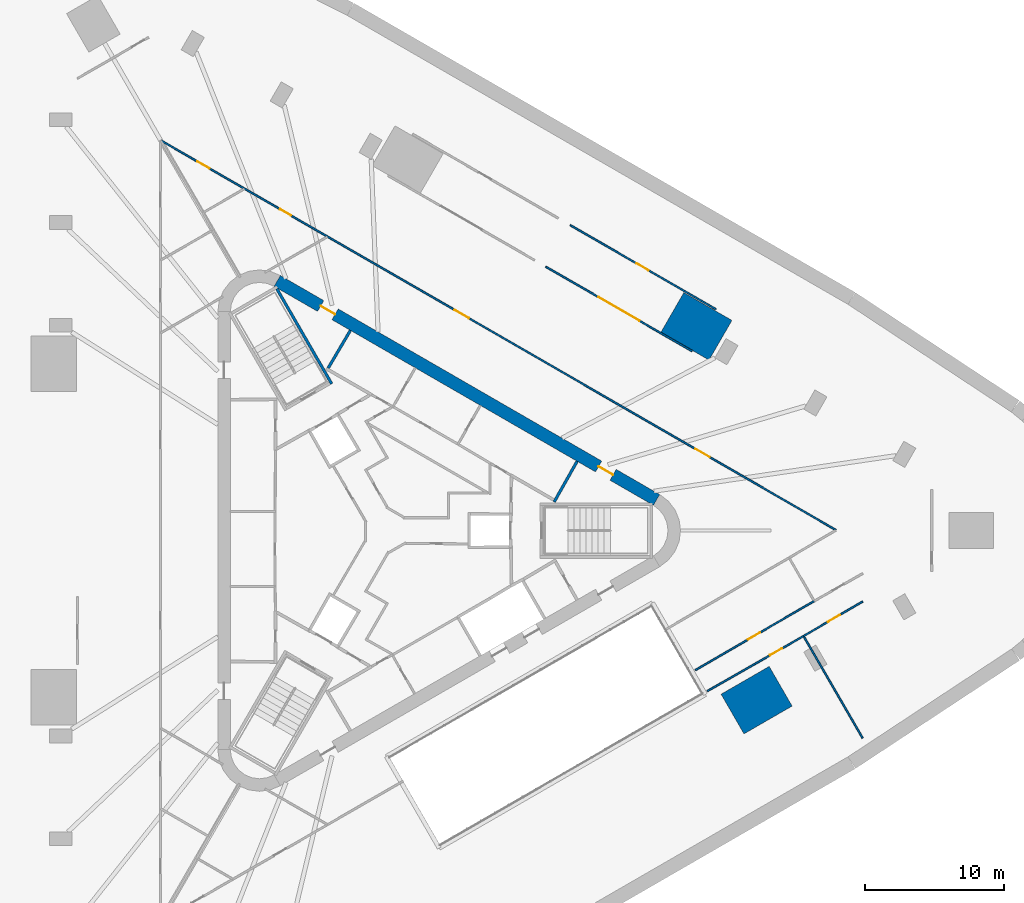
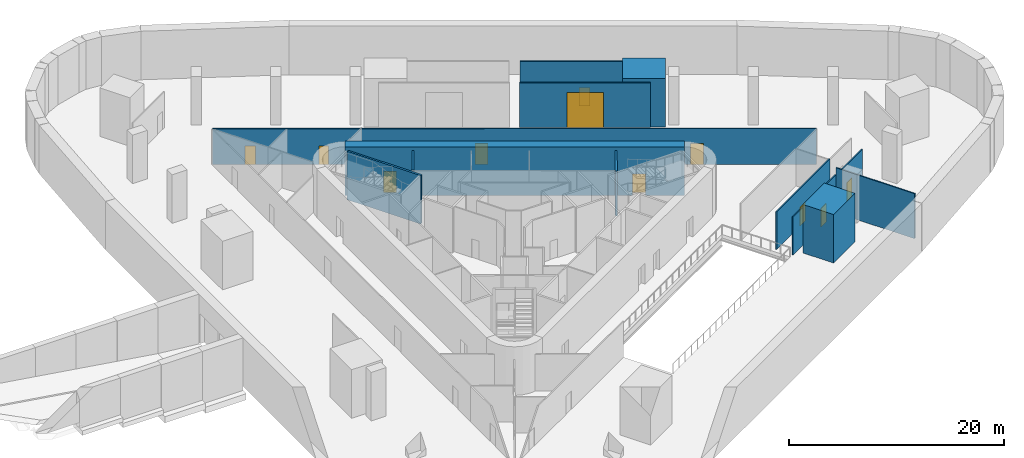
# One storey, part 8 of 13: 13 walls, 11 doors, 11 openings.
"""IFC4 building model written with IfcOpenShell, lengths in metres."""

from ifc_helpers import new_model, si_unit, direction, frame, frame_2d, origin, place, context, subcontext, project, spatial, polyline, rectangle, outline, extrude, material, layer, layer_set, type_object, element, fill, save


model = new_model("IFC4")

# Units and contexts
model_context = context("Model", 3, precision=1e-05, world=origin(), true_north=direction((0.0, 1.0)))
body_context = subcontext(model_context, "Body", "Model", "MODEL_VIEW")
ifc_project = project(units=[si_unit("LENGTHUNIT", "METRE"), si_unit("AREAUNIT", "SQUARE_METRE"), si_unit("VOLUMEUNIT", "CUBIC_METRE"), si_unit("PLANEANGLEUNIT", "RADIAN"), si_unit("MASSUNIT", "GRAM", prefix="KILO")], contexts=[model_context])

# Site, building, storey
site_placement = place(None, origin())
site = spatial("IfcSite", under=ifc_project, at=site_placement, CompositionType="ELEMENT")
building_placement = place(site_placement, origin())
building = spatial("IfcBuilding", under=site, at=building_placement, Name="Tanit Gate Tower", CompositionType="ELEMENT")
storey_placement = place(building_placement, frame((0.0, 0.0, -5.5)))
storey = spatial("IfcBuildingStorey", under=building, at=storey_placement, Name="B1", CompositionType="ELEMENT", Elevation=-5.5)

# Wall, openings, doors
ifc_material_1 = material(Name="Concrete C60/75", Category="concrete")
ifc_layer_1 = layer(ifc_material_1, 0.89990234375)
ifc_layer_set_1 = layer_set([ifc_layer_1], Name="CORE WALL 900 C60/75")
wall_type_1 = type_object("IfcWallType", Name="CORE WALL 900 C60/75", PredefinedType="SHEAR", material=ifc_layer_set_1)
wall_1_placement = place(storey_placement, frame((19.47509765625, 2.20849609375, 0.0), z_axis=(0.0, 0.0, 1.0), x_axis=(-0.866028369851, 0.499994862586, 0.0)))
wall_1 = element("IfcWall", 1, at=wall_1_placement, inside=storey, type_object=wall_type_1, Name="CORE WALL", PredefinedType="SHEAR", context=body_context, shape_type="SweptSolid", body=[
    extrude(rectangle(XDim=31.523193359375, YDim=0.89990234375, at=frame_2d((15.76171875, 0.0))), origin(), (0.0, 0.0, 1.0), 5.5),
])
opening_1_placement = place(wall_1_placement, frame((3.611572265625, 0.0, 0.0)))
opening_1 = element("IfcOpeningElement", 2, at=opening_1_placement, cuts=wall_1, Name="Opening F12-B1-FL1", PredefinedType="OPENING", context=body_context, shape_type="SweptSolid", body=[
    extrude(rectangle(XDim=1.199951171875, YDim=2.39990234375, at=frame_2d((0.60009765625, 1.199951171875))), frame((0.0, 0.4599609375, 0.0), z_axis=(0.0, -1.0, 0.0), x_axis=(1.0, 0.0, 0.0)), (0.0, 0.0, 1.0), 0.919921875),
])
opening_2_placement = place(wall_1_placement, frame((26.711669921875, 0.0, 0.0)))
opening_2 = element("IfcOpeningElement", 3, at=opening_2_placement, cuts=wall_1, Name="Opening F12-B1-S2", PredefinedType="OPENING", context=body_context, shape_type="SweptSolid", body=[
    extrude(rectangle(XDim=1.199951171875, YDim=2.39990234375, at=frame_2d((0.60009765625, 1.199951171875))), frame((0.0, 0.4599609375, 0.0), z_axis=(0.0, -1.0, 0.0), x_axis=(1.0, 0.0, 0.0)), (0.0, 0.0, 1.0), 0.919921875),
])
ifc_material_2 = material(Name="Fire-rated steel door leaf", Category="steel")
door_type_1 = type_object("IfcDoorType", Name="INT-DOOR-FIRE-LOBBY-1200", OperationType="NOTDEFINED", PredefinedType="USERDEFINED", material=ifc_material_2)
door_1_placement = place(opening_1_placement, origin())
door_1 = element("IfcDoor", 4, at=door_1_placement, inside=storey, type_object=door_type_1, Name="Door F12-B1-FL1", ObjectType="FIRE DOOR", OperationType="SINGLE_SWING_RIGHT", OverallHeight=2.39990234375, OverallWidth=1.199951171875, PredefinedType="USERDEFINED", context=body_context, shape_type="SweptSolid", body=[
    extrude(rectangle(XDim=1.199951171875, YDim=2.39990234375, at=frame_2d((0.60009765625, 1.199951171875))), frame((0.0, 0.02490234375, 0.0), z_axis=(0.0, -1.0, 0.0), x_axis=(1.0, 0.0, 0.0)), (0.0, 0.0, 1.0), 0.050048828125),
])
fill(opening_1, door_1)
door_2_placement = place(opening_2_placement, origin())
door_2 = element("IfcDoor", 5, at=door_2_placement, inside=storey, type_object=door_type_1, Name="Door F12-B1-S2", ObjectType="FIRE DOOR", OperationType="SINGLE_SWING_RIGHT", OverallHeight=2.39990234375, OverallWidth=1.199951171875, PredefinedType="USERDEFINED", context=body_context, shape_type="SweptSolid", body=[
    extrude(rectangle(XDim=1.199951171875, YDim=2.39990234375, at=frame_2d((0.60009765625, 1.199951171875))), frame((0.0, 0.02490234375, 0.0), z_axis=(0.0, -1.0, 0.0), x_axis=(1.0, 0.0, 0.0)), (0.0, 0.0, 1.0), 0.050048828125),
])
fill(opening_2, door_2)

# Walls
ifc_material_3 = material(Name="Fire-rated gypsum board partition")
ifc_layer_2 = layer(ifc_material_3, 0.199951171875)
ifc_layer_set_2 = layer_set([ifc_layer_2], Name="INT-WALL-COMPARTMENT")
wall_type_2 = type_object("IfcWallType", Name="INT-WALL-COMPARTMENT", PredefinedType="PARTITIONING", material=ifc_layer_set_2)
wall_2_placement = place(storey_placement, frame((12.10986328125, 2.07275390625, 0.0), z_axis=(0.0, 0.0, 1.0), x_axis=(0.49196600604, 0.870614408852, 0.0)))
element("IfcWall", 6, at=wall_2_placement, inside=storey, type_object=wall_type_2, Name="Wall Compartment W043", PredefinedType="PARTITIONING", context=body_context, shape_type="SweptSolid", body=[
    extrude(rectangle(XDim=3.35009765625, YDim=0.199951171875, at=frame_2d((1.675048828125, 0.0))), origin(), (0.0, 0.0, 1.0), 5.10009765625),
])
wall_3_placement = place(storey_placement, frame((-2.557861328125, 14.409423828125, 0.0), z_axis=(0.0, 0.0, 1.0), x_axis=(-0.508018930956, -0.861345903683, 0.0)))
element("IfcWall", 7, at=wall_3_placement, inside=storey, type_object=wall_type_2, Name="Wall Compartment W050", PredefinedType="PARTITIONING", context=body_context, shape_type="SweptSolid", body=[
    extrude(rectangle(XDim=3.150146484375, YDim=0.199951171875, at=frame_2d((1.5751953125, 0.0))), origin(), (0.0, 0.0, 1.0), 5.10009765625),
])

# Wall, openings, doors
ifc_material_4 = material(Name="Gypsum board partition")
ifc_layer_3 = layer(ifc_material_4, 0.1201171875)
ifc_layer_set_3 = layer_set([ifc_layer_3], Name="INT-WALL-PARTITION")
wall_type_3 = type_object("IfcWallType", Name="INT-WALL-PARTITION", PredefinedType="PARTITIONING", material=ifc_layer_set_3)
wall_4_placement = place(storey_placement, frame((32.3798828125, 0.046142578125, 0.0), z_axis=(0.0, 0.0, 1.0), x_axis=(-0.86611360534, 0.499847199298, 0.0)))
wall_4 = element("IfcWall", 8, at=wall_4_placement, inside=storey, type_object=wall_type_3, Name="Wall Partition W087", PredefinedType="PARTITIONING", context=body_context, shape_type="SweptSolid", body=[
    extrude(rectangle(XDim=56.078125, YDim=0.1201171875, at=frame_2d((28.0390625, 0.0))), origin(), (0.0, 0.0, 1.0), 4.070068359375),
])
opening_3_placement = place(wall_4_placement, frame((30.480712890625, 0.0, 0.0)))
opening_3 = element("IfcOpeningElement", 9, at=opening_3_placement, cuts=wall_4, Name="Opening F12-B1-24", PredefinedType="OPENING", context=body_context, shape_type="SweptSolid", body=[
    extrude(rectangle(XDim=1.199951171875, YDim=2.39990234375, at=frame_2d((0.60009765625, 1.199951171875))), frame((0.0, 0.070068359375, 0.0), z_axis=(0.0, -1.0, 0.0), x_axis=(1.0, 0.0, 0.0)), (0.0, 0.0, 1.0), 0.14013671875),
])
opening_4_placement = place(wall_4_placement, frame((10.480712890625, 0.0, 0.0)))
opening_4 = element("IfcOpeningElement", 10, at=opening_4_placement, cuts=wall_4, Name="Opening F12-B1-25", PredefinedType="OPENING", context=body_context, shape_type="SweptSolid", body=[
    extrude(rectangle(XDim=1.199951171875, YDim=2.39990234375, at=frame_2d((0.60009765625, 1.199951171875))), frame((0.0, 0.070068359375, 0.0), z_axis=(0.0, -1.0, 0.0), x_axis=(1.0, 0.0, 0.0)), (0.0, 0.0, 1.0), 0.14013671875),
])
opening_5_placement = place(wall_4_placement, frame((45.2822265625, 0.0, 0.0)))
opening_5 = element("IfcOpeningElement", 11, at=opening_5_placement, cuts=wall_4, Name="Opening D09-B1-28", PredefinedType="OPENING", context=body_context, shape_type="SweptSolid", body=[
    extrude(rectangle(XDim=0.89990234375, YDim=2.10009765625, at=frame_2d((0.449951171875, 1.050048828125))), frame((0.0, 0.070068359375, 0.0), z_axis=(0.0, -1.0, 0.0), x_axis=(1.0, 0.0, 0.0)), (0.0, 0.0, 1.0), 0.14013671875),
])
opening_6_placement = place(wall_4_placement, frame((52.060791015625, 0.0, 0.0)))
opening_6 = element("IfcOpeningElement", 12, at=opening_6_placement, cuts=wall_4, Name="Opening D10-B1-29", PredefinedType="OPENING", context=body_context, shape_type="SweptSolid", body=[
    extrude(rectangle(XDim=1.0, YDim=2.10009765625, at=frame_2d((0.5, 1.050048828125))), frame((0.0, 0.070068359375, 0.0), z_axis=(0.0, -1.0, 0.0), x_axis=(1.0, 0.0, 0.0)), (0.0, 0.0, 1.0), 0.14013671875),
])
door_3_placement = place(opening_3_placement, origin())
door_3 = element("IfcDoor", 13, at=door_3_placement, inside=storey, type_object=door_type_1, Name="Door F12-B1-24", ObjectType="FIRE DOOR", OperationType="SINGLE_SWING_RIGHT", OverallHeight=2.39990234375, OverallWidth=1.199951171875, PredefinedType="USERDEFINED", context=body_context, shape_type="SweptSolid", body=[
    extrude(rectangle(XDim=1.199951171875, YDim=2.39990234375, at=frame_2d((0.60009765625, 1.199951171875))), frame((0.0, 0.02490234375, 0.0), z_axis=(0.0, -1.0, 0.0), x_axis=(1.0, 0.0, 0.0)), (0.0, 0.0, 1.0), 0.050048828125),
])
fill(opening_3, door_3)
door_4_placement = place(opening_4_placement, origin())
door_4 = element("IfcDoor", 14, at=door_4_placement, inside=storey, type_object=door_type_1, Name="Door F12-B1-25", ObjectType="FIRE DOOR", OperationType="SINGLE_SWING_RIGHT", OverallHeight=2.39990234375, OverallWidth=1.199951171875, PredefinedType="USERDEFINED", context=body_context, shape_type="SweptSolid", body=[
    extrude(rectangle(XDim=1.199951171875, YDim=2.39990234375, at=frame_2d((0.60009765625, 1.199951171875))), frame((0.0, 0.02490234375, 0.0), z_axis=(0.0, -1.0, 0.0), x_axis=(1.0, 0.0, 0.0)), (0.0, 0.0, 1.0), 0.050048828125),
])
fill(opening_4, door_4)
ifc_material_5 = material(Name="Timber door leaf", Category="wood")
door_type_2 = type_object("IfcDoorType", Name="INT-DOOR-SINGLE-1000", OperationType="NOTDEFINED", PredefinedType="NOTDEFINED", material=ifc_material_5)
door_5_placement = place(opening_6_placement, origin())
door_5 = element("IfcDoor", 15, at=door_5_placement, inside=storey, type_object=door_type_2, Name="Door D10-B1-29", OperationType="SINGLE_SWING_LEFT", OverallHeight=2.10009765625, OverallWidth=1.0, PredefinedType="NOTDEFINED", context=body_context, shape_type="SweptSolid", body=[
    extrude(rectangle(XDim=1.0, YDim=2.10009765625, at=frame_2d((0.5, 1.050048828125))), frame((0.0, 0.02490234375, 0.0), z_axis=(0.0, -1.0, 0.0), x_axis=(1.0, 0.0, 0.0)), (0.0, 0.0, 1.0), 0.050048828125),
])
fill(opening_6, door_5)
ifc_material_6 = material(Name="Timber door leaf", Category="wood")
door_type_3 = type_object("IfcDoorType", Name="INT-DOOR-SINGLE-900", OperationType="NOTDEFINED", PredefinedType="NOTDEFINED", material=ifc_material_6)
door_6_placement = place(opening_5_placement, origin())
door_6 = element("IfcDoor", 16, at=door_6_placement, inside=storey, type_object=door_type_3, Name="Door D09-B1-28", OperationType="SINGLE_SWING_RIGHT", OverallHeight=2.10009765625, OverallWidth=0.89990234375, PredefinedType="NOTDEFINED", context=body_context, shape_type="SweptSolid", body=[
    extrude(rectangle(XDim=0.89990234375, YDim=2.10009765625, at=frame_2d((0.449951171875, 1.050048828125))), frame((0.0, 0.02490234375, 0.0), z_axis=(0.0, -1.0, 0.0), x_axis=(1.0, 0.0, 0.0)), (0.0, 0.0, 1.0), 0.050048828125),
])
fill(opening_5, door_6)

# Wall, opening, door
wall_5_placement = place(storey_placement, frame((22.037841796875, 12.91064453125, 0.0), z_axis=(0.0, 0.0, 1.0), x_axis=(-0.866020417952, 0.500008635616, 0.0)))
wall_5 = element("IfcWall", 17, at=wall_5_placement, inside=storey, type_object=wall_type_3, Name="Wall Partition W102", PredefinedType="PARTITIONING", context=body_context, shape_type="SweptSolid", body=[
    extrude(rectangle(XDim=12.159912109375, YDim=0.1201171875, at=frame_2d((6.080078125, 0.0))), origin(), (0.0, 0.0, 1.0), 5.10009765625),
])
opening_7_placement = place(wall_5_placement, frame((4.3798828125, 0.0, 0.0)))
opening_7 = element("IfcOpeningElement", 18, at=opening_7_placement, cuts=wall_5, Name="Opening SH-B1-40", PredefinedType="OPENING", context=body_context, shape_type="SweptSolid", body=[
    extrude(rectangle(XDim=3.39990234375, YDim=4.0, at=frame_2d((1.699951171875, 2.0))), frame((0.0, 0.070068359375, 0.0), z_axis=(0.0, -1.0, 0.0), x_axis=(1.0, 0.0, 0.0)), (0.0, 0.0, 1.0), 0.14013671875),
])
ifc_material_7 = material(Name="Timber door leaf", Category="wood")
door_type_4 = type_object("IfcDoorType", Name="INT-DOOR-SHUTTER-3400", OperationType="NOTDEFINED", PredefinedType="NOTDEFINED", material=ifc_material_7)
door_7_placement = place(opening_7_placement, origin())
door_7 = element("IfcDoor", 19, at=door_7_placement, inside=storey, type_object=door_type_4, Name="Door SH-B1-40", OperationType="SINGLE_SWING_LEFT", OverallHeight=4.0, OverallWidth=3.39990234375, PredefinedType="NOTDEFINED", context=body_context, shape_type="SweptSolid", body=[
    extrude(rectangle(XDim=3.39990234375, YDim=4.0, at=frame_2d((1.699951171875, 2.0))), frame((0.0, 0.02490234375, 0.0), z_axis=(0.0, -1.0, 0.0), x_axis=(1.0, 0.0, 0.0)), (0.0, 0.0, 1.0), 0.050048828125),
])
fill(opening_7, door_7)

wall_6_placement = place(storey_placement, frame((13.26806640625, 21.98095703125, 0.0), z_axis=(0.0, 0.0, 1.0), x_axis=(0.866020606328, -0.500008309346, 0.0)))
wall_6 = element("IfcWall", 20, at=wall_6_placement, inside=storey, type_object=wall_type_3, Name="Wall Partition W120", PredefinedType="PARTITIONING", context=body_context, shape_type="SweptSolid", body=[
    extrude(rectangle(XDim=12.099853515625, YDim=0.1201171875, at=frame_2d((6.0498046875, 0.0))), origin(), (0.0, 0.0, 1.0), 5.10009765625),
])
opening_8_placement = place(wall_6_placement, frame((5.5, 0.0, 0.0)))
opening_8 = element("IfcOpeningElement", 21, at=opening_8_placement, cuts=wall_6, Name="Opening D10-B1-41", PredefinedType="OPENING", context=body_context, shape_type="SweptSolid", body=[
    extrude(rectangle(XDim=1.0, YDim=2.10009765625, at=frame_2d((0.5, 1.050048828125))), frame((0.0, 0.070068359375, 0.0), z_axis=(0.0, -1.0, 0.0), x_axis=(1.0, 0.0, 0.0)), (0.0, 0.0, 1.0), 0.14013671875),
])
door_8_placement = place(opening_8_placement, origin())
door_8 = element("IfcDoor", 22, at=door_8_placement, inside=storey, type_object=door_type_2, Name="Door D10-B1-41", OperationType="SINGLE_SWING_RIGHT", OverallHeight=2.10009765625, OverallWidth=1.0, PredefinedType="NOTDEFINED", context=body_context, shape_type="SweptSolid", body=[
    extrude(rectangle(XDim=1.0, YDim=2.10009765625, at=frame_2d((0.5, 1.050048828125))), frame((0.0, 0.02490234375, 0.0), z_axis=(0.0, -1.0, 0.0), x_axis=(1.0, 0.0, 0.0)), (0.0, 0.0, 1.0), 0.050048828125),
])
fill(opening_8, door_8)

wall_7_placement = place(storey_placement, frame((30.816650390625, -5.0712890625, 0.0), z_axis=(0.0, 0.0, 1.0), x_axis=(-0.86452239291, -0.502594301756, 0.0)))
wall_7 = element("IfcWall", 23, at=wall_7_placement, inside=storey, type_object=wall_type_3, Name="Wall Partition W122", PredefinedType="PARTITIONING", context=body_context, shape_type="SweptSolid", body=[
    extrude(rectangle(XDim=9.896484375, YDim=0.1201171875, at=frame_2d((4.9482421875, 0.0))), origin(), (0.0, 0.0, 1.0), 4.280029296875),
])
opening_9_placement = place(wall_7_placement, frame((4.496337890625, 0.0, 0.0)))
opening_9 = element("IfcOpeningElement", 24, at=opening_9_placement, cuts=wall_7, Name="Opening D10-B1-44", PredefinedType="OPENING", context=body_context, shape_type="SweptSolid", body=[
    extrude(rectangle(XDim=1.0, YDim=2.10009765625, at=frame_2d((0.5, 1.050048828125))), frame((0.0, 0.070068359375, 0.0), z_axis=(0.0, -1.0, 0.0), x_axis=(1.0, 0.0, 0.0)), (0.0, 0.0, 1.0), 0.14013671875),
])
door_9_placement = place(opening_9_placement, origin())
door_9 = element("IfcDoor", 25, at=door_9_placement, inside=storey, type_object=door_type_2, Name="Door D10-B1-44", OperationType="SINGLE_SWING_RIGHT", OverallHeight=2.10009765625, OverallWidth=1.0, PredefinedType="NOTDEFINED", context=body_context, shape_type="SweptSolid", body=[
    extrude(rectangle(XDim=1.0, YDim=2.10009765625, at=frame_2d((0.5, 1.050048828125))), frame((0.0, 0.02490234375, 0.0), z_axis=(0.0, -1.0, 0.0), x_axis=(1.0, 0.0, 0.0)), (0.0, 0.0, 1.0), 0.050048828125),
])
fill(opening_9, door_9)

wall_8_placement = place(storey_placement, frame((23.131103515625, -11.55224609375, 0.0), z_axis=(0.0, 0.0, 1.0), x_axis=(0.867873663881, 0.496784967106, 0.0)))
wall_8 = element("IfcWall", 26, at=wall_8_placement, inside=storey, type_object=wall_type_3, Name="Wall Partition W124", PredefinedType="PARTITIONING", context=body_context, shape_type="SweptSolid", body=[
    extrude(rectangle(XDim=7.97509765625, YDim=0.1201171875, at=frame_2d((3.987548828125, 0.0))), origin(), (0.0, 0.0, 1.0), 4.280029296875),
])
opening_10_placement = place(wall_8_placement, frame((5.2001953125, 0.0, 0.0)))
opening_10 = element("IfcOpeningElement", 27, at=opening_10_placement, cuts=wall_8, Name="Opening D10-B1-45", PredefinedType="OPENING", context=body_context, shape_type="SweptSolid", body=[
    extrude(rectangle(XDim=1.0, YDim=2.10009765625, at=frame_2d((0.5, 1.050048828125))), frame((0.0, 0.070068359375, 0.0), z_axis=(0.0, -1.0, 0.0), x_axis=(1.0, 0.0, 0.0)), (0.0, 0.0, 1.0), 0.14013671875),
])
door_10_placement = place(opening_10_placement, origin())
door_10 = element("IfcDoor", 28, at=door_10_placement, inside=storey, type_object=door_type_2, Name="Door D10-B1-45", OperationType="SINGLE_SWING_RIGHT", OverallHeight=2.10009765625, OverallWidth=1.0, PredefinedType="NOTDEFINED", context=body_context, shape_type="SweptSolid", body=[
    extrude(rectangle(XDim=1.0, YDim=2.10009765625, at=frame_2d((0.5, 1.050048828125))), frame((0.0, 0.02490234375, 0.0), z_axis=(0.0, -1.0, 0.0), x_axis=(1.0, 0.0, 0.0)), (0.0, 0.0, 1.0), 0.050048828125),
])
fill(opening_10, door_10)

wall_9_placement = place(storey_placement, frame((30.052734375, -7.590576171875, 0.0), z_axis=(0.0, 0.0, 1.0), x_axis=(0.863392666074, 0.504532560069, 0.0)))
wall_9 = element("IfcWall", 29, at=wall_9_placement, inside=storey, type_object=wall_type_3, Name="Wall Partition W125", PredefinedType="PARTITIONING", context=body_context, shape_type="SweptSolid", body=[
    extrude(rectangle(XDim=4.932373046875, YDim=0.1201171875, at=frame_2d((2.46630859375, 0.0))), origin(), (0.0, 0.0, 1.0), 4.179931640625),
])
opening_11_placement = place(wall_9_placement, frame((2.02978515625, 0.0, 0.0)))
opening_11 = element("IfcOpeningElement", 30, at=opening_11_placement, cuts=wall_9, Name="Opening D10-B1-46", PredefinedType="OPENING", context=body_context, shape_type="SweptSolid", body=[
    extrude(rectangle(XDim=1.0, YDim=2.10009765625, at=frame_2d((0.5, 1.050048828125))), frame((0.0, 0.070068359375, 0.0), z_axis=(0.0, -1.0, 0.0), x_axis=(1.0, 0.0, 0.0)), (0.0, 0.0, 1.0), 0.14013671875),
])
door_11_placement = place(opening_11_placement, origin())
door_11 = element("IfcDoor", 31, at=door_11_placement, inside=storey, type_object=door_type_2, Name="Door D10-B1-46", OperationType="SINGLE_SWING_LEFT", OverallHeight=2.10009765625, OverallWidth=1.0, PredefinedType="NOTDEFINED", context=body_context, shape_type="SweptSolid", body=[
    extrude(rectangle(XDim=1.0, YDim=2.10009765625, at=frame_2d((0.5, 1.050048828125))), frame((0.0, 0.02490234375, 0.0), z_axis=(0.0, -1.0, 0.0), x_axis=(1.0, 0.0, 0.0)), (0.0, 0.0, 1.0), 0.050048828125),
])
fill(opening_11, door_11)

# Walls
wall_10_placement = place(storey_placement, frame((34.311279296875, -14.936767578125, 0.0), z_axis=(0.0, 0.0, 1.0), x_axis=(-0.501530435632, 0.865140001465, 0.0)))
element("IfcWall", 32, at=wall_10_placement, inside=storey, type_object=wall_type_3, Name="Wall Partition W127", PredefinedType="PARTITIONING", context=body_context, shape_type="SweptSolid", body=[
    extrude(rectangle(XDim=8.43115234375, YDim=0.1201171875, at=frame_2d((4.215576171875, 0.0))), origin(), (0.0, 0.0, 1.0), 5.10009765625),
])
ifc_material_8 = material(Name="Concrete C40/50", Category="concrete")
ifc_layer_4 = layer(ifc_material_8, 0.199951171875)
ifc_layer_set_4 = layer_set([ifc_layer_4], Name="INT-WALL-STAIR")
wall_type_4 = type_object("IfcWallType", Name="INT-WALL-STAIR", PredefinedType="SHEAR", material=ifc_layer_set_4)
wall_11_placement = place(storey_placement, frame((-7.8544921875, 17.404541015625, -0.39990234375), z_axis=(0.0, 0.0, 1.0), x_axis=(0.499997992926, -0.866026562566, 0.0)))
element("IfcWall", 33, at=wall_11_placement, inside=storey, type_object=wall_type_4, Name="Wall Stair W017", PredefinedType="SHEAR", context=body_context, shape_type="SweptSolid", body=[
    extrude(rectangle(XDim=7.89990234375, YDim=0.199951171875, at=frame_2d((3.949951171875, 0.0))), origin(), (0.0, 0.0, 1.0), 5.5),
])
ifc_material_9 = material(Name="Concrete C60/75", Category="concrete")
ifc_layer_5 = layer(ifc_material_9, 4.0)
ifc_layer_set_5 = layer_set([ifc_layer_5], Name="PIER WALL 4000 C60/75")
wall_type_5 = type_object("IfcWallType", Name="PIER WALL 4000 C60/75", PredefinedType="SHEAR", material=ifc_layer_set_5)
wall_12_placement = place(storey_placement, origin())
element("IfcWall", 34, at=wall_12_placement, inside=storey, type_object=wall_type_5, Name="PIER WALL", PredefinedType="SHEAR", context=body_context, shape_type="SweptSolid", body=[
    extrude(outline(polyline([(25.76708984375, -14.6298828125), (29.231201171875, -12.6298828125), (27.581298828125, -9.77197265625), (24.1171875, -11.77197265625), (25.76708984375, -14.6298828125)])), origin(), (0.0, 0.0, 1.0), 5.5),
])
wall_13_placement = place(storey_placement, origin())
element("IfcWall", 35, at=wall_13_placement, inside=storey, type_object=wall_type_5, Name="PIER WALL", PredefinedType="SHEAR", context=body_context, shape_type="SweptSolid", body=[
    extrude(outline(polyline([(24.901123046875, 15.1298828125), (21.43701171875, 17.1298828125), (19.787109375, 14.27197265625), (23.251220703125, 12.27197265625), (24.901123046875, 15.1298828125)])), origin(), (0.0, 0.0, 1.0), 5.5),
])

save(model, "model.ifc")
